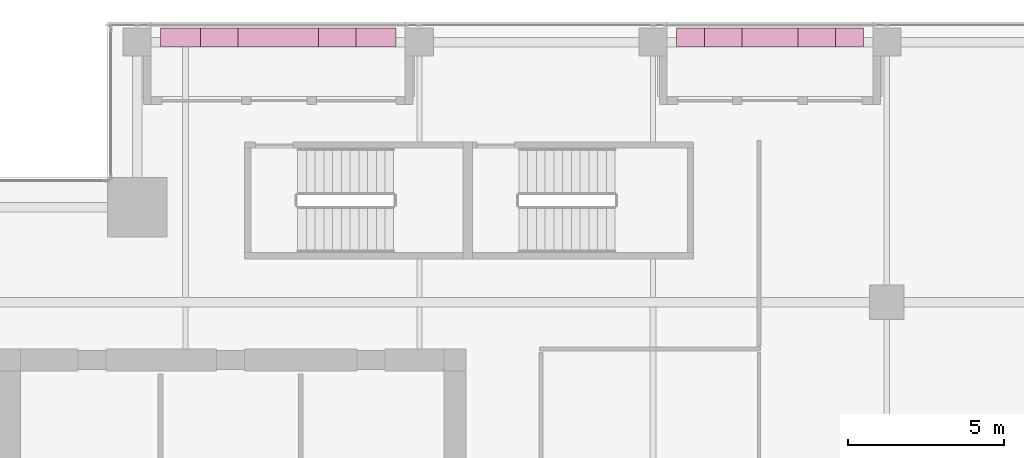
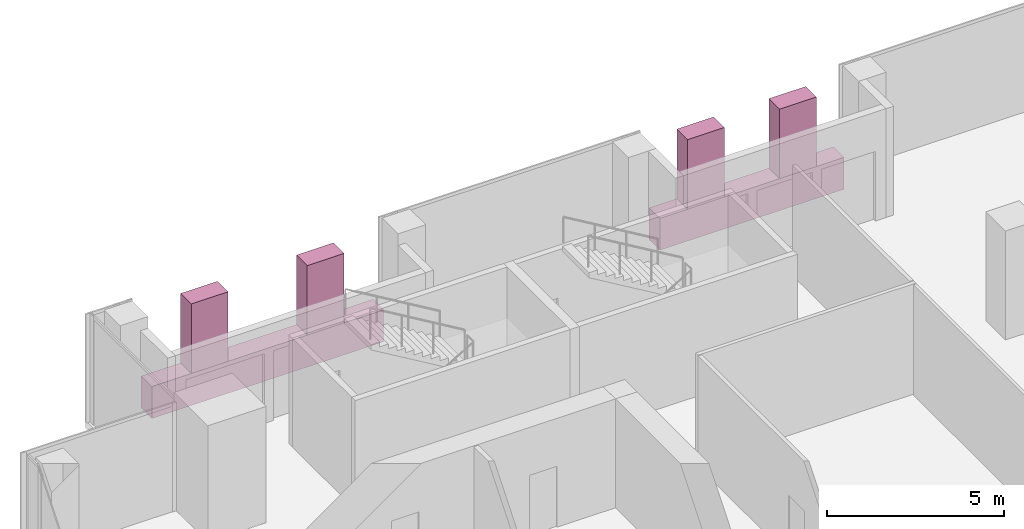
# One storey, part 34 of 34: 6 furnishings.
"""IFC4 building model written with IfcOpenShell, lengths in metres."""

import ifcopenshell
import ifcopenshell.guid

model = None  # the IFC model being written
_history = None  # IfcOwnerHistory: only IFC2X3 demands one
_inside = {}  # id of a spatial element -> (the spatial element, [elements in it])
_under = {}  # id of a project, library or spatial element -> (it, [spatial elements below it])
_declared = {}  # id of a project -> (the project, [libraries it declares])
_typed = {}  # id of a type object -> (the type object, [elements of that type])
_made_of = {}  # id of a material, layer set ... -> (it, [elements and type objects made of it])


def new_model(schema):
    """Start an empty IFC model of exactly this schema.

    Asked for "IFC4X3", IfcOpenShell would pick the latest addendum, in which some entities
    have other attributes; the version numbers below select the first issue.
    IFC2X3 requires an IfcOwnerHistory on every rooted entity: one is made here for all.
    """
    global model, _history
    if schema == "IFC4X3":
        model = ifcopenshell.file(schema_version=(4, 3, 0, 0))
    else:
        model = ifcopenshell.file(schema=schema)
    _inside.clear()
    _under.clear()
    _declared.clear()
    _typed.clear()
    _made_of.clear()
    _history = None
    if model.schema == "IFC2X3":
        org = make("IfcOrganization", Name="unknown")
        user = make(
            "IfcPersonAndOrganization",
            ThePerson=make("IfcPerson", FamilyName="unknown"),
            TheOrganization=org,
        )
        app = make(
            "IfcApplication",
            ApplicationDeveloper=org,
            Version="unknown",
            ApplicationFullName="unknown",
            ApplicationIdentifier="unknown",
        )
        _history = make(
            "IfcOwnerHistory",
            OwningUser=user,
            OwningApplication=app,
            ChangeAction="ADDED",
            CreationDate=0,
        )
    return model


def make(cls, **values):
    """One entity of the class cls with the attributes given. An attribute that is None is left unset."""
    return model.create_entity(
        cls, **{name: value for name, value in values.items() if value is not None}
    )


def rooted(cls, **values):
    """An entity with a GlobalId (a new one), such as an element, a storey or a relation."""
    return make(cls, GlobalId=ifcopenshell.guid.new(), OwnerHistory=_history, **values)


def si_unit(unit_type, name, prefix=None):
    """IfcSIUnit, for example si_unit("LENGTHUNIT", "METRE", prefix="MILLI")."""
    return make("IfcSIUnit", UnitType=unit_type, Prefix=prefix, Name=name)


def assignment(units):
    """IfcUnitAssignment: the units of a project."""
    return None if units is None else make("IfcUnitAssignment", Units=units)


def point(xyz):
    """IfcCartesianPoint."""
    return None if xyz is None else make("IfcCartesianPoint", Coordinates=xyz)


def direction(xyz):
    """IfcDirection."""
    return None if xyz is None else make("IfcDirection", DirectionRatios=xyz)


def frame(location, z_axis=None, x_axis=None):
    """IfcAxis2Placement3D, a coordinate frame: its origin and axes. An axis left out is left unset."""
    return make(
        "IfcAxis2Placement3D",
        Location=point(location),
        Axis=direction(z_axis),
        RefDirection=direction(x_axis),
    )


def frame_2d(location, x_axis=None):
    """IfcAxis2Placement2D, a coordinate frame in the plane: its origin and x axis."""
    return make(
        "IfcAxis2Placement2D", Location=point(location), RefDirection=direction(x_axis)
    )


def origin():
    """The frame at (0, 0, 0) with its axes left unset."""
    return frame((0.0, 0.0, 0.0))


def origin_2d():
    """The frame at (0, 0) in the plane with its x axis left unset."""
    return frame_2d((0.0, 0.0))


def place(relative_to, where):
    """IfcLocalPlacement: puts the frame where relative to a parent placement (None: the world)."""
    return make(
        "IfcLocalPlacement", PlacementRelTo=relative_to, RelativePlacement=where
    )


def context(
    kind, dimensions, precision=None, world=None, true_north=None, identifier=None
):
    """IfcGeometricRepresentationContext, for example the 3D "Model" context."""
    return make(
        "IfcGeometricRepresentationContext",
        ContextIdentifier=identifier,
        ContextType=kind,
        CoordinateSpaceDimension=dimensions,
        Precision=precision,
        WorldCoordinateSystem=world,
        TrueNorth=true_north,
    )


def subcontext(parent, identifier, kind, view, scale=None):
    """IfcGeometricRepresentationSubContext, for example "Body" below "Model"."""
    return make(
        "IfcGeometricRepresentationSubContext",
        ContextIdentifier=identifier,
        ContextType=kind,
        ParentContext=parent,
        TargetScale=scale,
        TargetView=view,
    )


def project(units=None, contexts=None):
    """IfcProject with its units and contexts."""
    return rooted(
        "IfcProject",
        Name="project",
        RepresentationContexts=contexts,
        UnitsInContext=assignment(units),
    )


def spatial(cls, under=None, at=None, **own):
    """A site, building, storey or space (cls), placed at a placement, below another one or the project."""
    s = rooted(cls, ObjectPlacement=at, **own)
    if under is not None:
        _under.setdefault(under.id(), (under, []))[1].append(s)
    return s


def profile(cls, at=None, kind="AREA", **sizes):
    """A parametric profile (cls). Its sizes go by their IFC names, for example OverallWidth=200.0."""
    return make(cls, ProfileType=kind, Position=at, **sizes)


def rectangle(**sizes):
    """IfcRectangleProfileDef."""
    return profile("IfcRectangleProfileDef", **sizes)


def extrude(swept, where, along, depth):
    """IfcExtrudedAreaSolid: the profile swept, set in the frame where, extruded along a direction by depth."""
    return make(
        "IfcExtrudedAreaSolid",
        SweptArea=swept,
        Position=where,
        ExtrudedDirection=direction(along),
        Depth=depth,
    )


def shape(context_of_items, identifier, shape_type, items):
    """IfcShapeRepresentation: the items that make up one representation, for example the "Body"."""
    return make(
        "IfcShapeRepresentation",
        ContextOfItems=context_of_items,
        RepresentationIdentifier=identifier,
        RepresentationType=shape_type,
        Items=items,
    )


def source(mapping_origin, context_of_items, identifier, shape_type, items):
    """IfcRepresentationMap: a shape defined once, which mapped items show again and again."""
    return make(
        "IfcRepresentationMap",
        MappingOrigin=mapping_origin,
        MappedRepresentation=shape(context_of_items, identifier, shape_type, items),
    )


def transform(
    local_origin,
    x_axis=None,
    y_axis=None,
    z_axis=None,
    scale=None,
    scale2=None,
    scale3=None,
    uniform=True,
):
    """IfcCartesianTransformationOperator3D, or its non-uniform kind. x_axis, y_axis, z_axis: its Axis1, 2, 3."""
    if uniform:
        return make(
            "IfcCartesianTransformationOperator3D",
            Axis1=direction(x_axis),
            Axis2=direction(y_axis),
            LocalOrigin=point(local_origin),
            Scale=scale,
            Axis3=direction(z_axis),
        )
    return make(
        "IfcCartesianTransformationOperator3DnonUniform",
        Axis1=direction(x_axis),
        Axis2=direction(y_axis),
        LocalOrigin=point(local_origin),
        Scale=scale,
        Axis3=direction(z_axis),
        Scale2=scale2,
        Scale3=scale3,
    )


def mapped(mapping_source, mapping_target):
    """IfcMappedItem: shows the shape of a source again, moved by a transform."""
    return make(
        "IfcMappedItem", MappingSource=mapping_source, MappingTarget=mapping_target
    )


def material(Name=None, Category=None):
    """IfcMaterial."""
    return make("IfcMaterial", Name=Name, Category=Category)


def made_of(thing, what):
    """Note that an element or type object is made of a material, layer set ...; save() writes the relation."""
    if what is not None:
        _made_of.setdefault(what.id(), (what, []))[1].append(thing)
    return thing


def type_object(cls, material=None, **own):
    """A type object (cls), such as IfcWallType, which elements share."""
    return made_of(rooted(cls, **own), material)


def element(
    cls,
    number,
    at=None,
    inside=None,
    cuts=None,
    type_object=None,
    material=None,
    context=None,
    identifier="Body",
    shape_type=None,
    held_by="IfcProductDefinitionShape",
    body=None,
    shapes=None,
    **own,
):
    """One element of the class cls, such as IfcWall. Its Tag is "e" and its number.

    at: its placement. inside: the storey or other place that contains it. cuts: it is an
    opening in that element (IfcRelVoidsElement). A single representation is given by context,
    identifier, shape_type and body (its items); several are given by shapes. held_by: the class
    of the entity that holds the representations. save() writes the other relations.
    """
    e = rooted(cls, Tag="e%d" % number, ObjectPlacement=at, **own)
    if body is not None:
        shapes = [shape(context, identifier, shape_type, body)]
    if shapes is not None:
        e.Representation = make(held_by, Representations=shapes)
    if inside is not None:
        _inside.setdefault(inside.id(), (inside, []))[1].append(e)
    if cuts is not None:
        rooted(
            "IfcRelVoidsElement", RelatingBuildingElement=cuts, RelatedOpeningElement=e
        )
    if type_object is not None:
        _typed.setdefault(type_object.id(), (type_object, []))[1].append(e)
    return made_of(e, material)


def aggregate(whole, parts):
    """IfcRelAggregates: a whole, such as a stair, and the parts it consists of."""
    return rooted("IfcRelAggregates", RelatingObject=whole, RelatedObjects=parts)


def save(model, path):
    """Write the relations noted so far, then the file.

    IfcRelAggregates (storeys below a building ...), IfcRelContainedInSpatialStructure (elements
    in a storey), IfcRelDefinesByType, IfcRelAssociatesMaterial and IfcRelDeclares: one each for
    every whole, place, type object, material and project.
    """
    for whole, parts in _under.values():
        aggregate(whole, parts)
    for where, things in _inside.values():
        rooted(
            "IfcRelContainedInSpatialStructure",
            RelatedElements=things,
            RelatingStructure=where,
        )
    for kind, things in _typed.values():
        rooted("IfcRelDefinesByType", RelatedObjects=things, RelatingType=kind)
    for what, things in _made_of.values():
        rooted("IfcRelAssociatesMaterial", RelatedObjects=things, RelatingMaterial=what)
    for by, libraries in _declared.values():
        rooted("IfcRelDeclares", RelatingContext=by, RelatedDefinitions=libraries)
    model.write(path)


model = new_model("IFC4")

# Units and contexts
model_context = context("Model", 3, precision=1e-05, world=origin(), true_north=direction((0.0, 1.0)))
body_context = subcontext(model_context, "Body", "Model", "MODEL_VIEW")
ifc_project = project(units=[si_unit("LENGTHUNIT", "METRE"), si_unit("AREAUNIT", "SQUARE_METRE"), si_unit("VOLUMEUNIT", "CUBIC_METRE"), si_unit("PLANEANGLEUNIT", "RADIAN"), si_unit("MASSUNIT", "GRAM", prefix="KILO")], contexts=[model_context])

# Site, building, storey
site_placement = place(None, origin())
site = spatial("IfcSite", under=ifc_project, at=site_placement, CompositionType="ELEMENT")
building_placement = place(site_placement, origin())
building = spatial("IfcBuilding", under=site, at=building_placement, Name="Khomas Fold Tower", CompositionType="ELEMENT")
storey_placement = place(building_placement, frame((0.0, 0.0, 242.199951171875)))
storey = spatial("IfcBuildingStorey", under=building, at=storey_placement, Name="L54", CompositionType="ELEMENT", Elevation=242.199951171875)

# Furnishings
ifc_material_1 = material(Name="Planting")
furnishing_element_type_1 = type_object("IfcFurnishingElementType", Name="BL-Tree Wild olive", material=ifc_material_1)
shared_shape_1 = source(origin(), body_context, "Body", "SweptSolid", [
    extrude(rectangle(XDim=1.199951171875, YDim=0.60009765625, at=origin_2d()), origin(), (0.0, 0.0, 1.0), 2.39501953125),
])
furnishing_1_placement = place(storey_placement, frame((29.25, 49.0, 1.054931640625), z_axis=(0.0, 0.0, 1.0), x_axis=(1.0, 0.0, 0.0)))
element("IfcFurnishingElement", 1, at=furnishing_1_placement, inside=storey, type_object=furnishing_element_type_1, Name="PLANTER (TREE) Wild olive BAL-L54-N3-1", context=body_context, shape_type="MappedRepresentation", body=[
    mapped(shared_shape_1, transform((0.0, 0.0, 0.0))),
])
ifc_material_2 = material(Name="Planting")
furnishing_element_type_2 = type_object("IfcFurnishingElementType", Name="BL-Tree Shepherd's tree", material=ifc_material_2)
furnishing_2_placement = place(storey_placement, frame((32.25, 49.0, 1.054931640625), z_axis=(0.0, 0.0, 1.0), x_axis=(1.0, 0.0, 0.0)))
element("IfcFurnishingElement", 2, at=furnishing_2_placement, inside=storey, type_object=furnishing_element_type_2, Name="PLANTER (TREE) Shepherd's tree BAL-L54-N3-2", context=body_context, shape_type="MappedRepresentation", body=[
    mapped(shared_shape_1, transform((0.0, 0.0, 0.0))),
])
furnishing_3_placement = place(storey_placement, frame((13.08740234375, 49.0, 1.054931640625), z_axis=(0.0, 0.0, 1.0), x_axis=(1.0, 0.0, 0.0)))
element("IfcFurnishingElement", 3, at=furnishing_3_placement, inside=storey, type_object=furnishing_element_type_1, Name="PLANTER (TREE) Wild olive BAL-L54-N1-1", context=body_context, shape_type="MappedRepresentation", body=[
    mapped(shared_shape_1, transform((0.0, 0.0, 0.0))),
])
furnishing_4_placement = place(storey_placement, frame((16.862548828125, 49.0, 1.054931640625), z_axis=(0.0, 0.0, 1.0), x_axis=(1.0, 0.0, 0.0)))
element("IfcFurnishingElement", 4, at=furnishing_4_placement, inside=storey, type_object=furnishing_element_type_2, Name="PLANTER (TREE) Shepherd's tree BAL-L54-N1-2", context=body_context, shape_type="MappedRepresentation", body=[
    mapped(shared_shape_1, transform((0.0, 0.0, 0.0))),
])
ifc_material_3 = material(Name="Precast concrete C40/50", Category="concrete")
furnishing_element_type_3 = type_object("IfcFurnishingElementType", Name="BL-Structural planter box", material=ifc_material_3)
shared_shape_2 = source(origin(), body_context, "Body", "SweptSolid", [
    extrude(rectangle(XDim=7.550048828125, YDim=0.60009765625, at=origin_2d()), origin(), (0.0, 0.0, 1.0), 1.10009765625),
])
furnishing_5_placement = place(storey_placement, frame((14.97509765625, 49.0, -0.044921875), z_axis=(0.0, 0.0, 1.0), x_axis=(1.0, 0.0, 0.0)))
element("IfcFurnishingElement", 5, at=furnishing_5_placement, inside=storey, type_object=furnishing_element_type_3, Name="PLANTER BAL-L54-N1", context=body_context, shape_type="MappedRepresentation", body=[
    mapped(shared_shape_2, transform((0.0, 0.0, 0.0))),
])
shared_shape_3 = source(origin(), body_context, "Body", "SweptSolid", [
    extrude(rectangle(XDim=6.0, YDim=0.60009765625, at=origin_2d()), origin(), (0.0, 0.0, 1.0), 1.10009765625),
])
furnishing_6_placement = place(storey_placement, frame((30.75, 49.0, -0.044921875), z_axis=(0.0, 0.0, 1.0), x_axis=(1.0, 0.0, 0.0)))
element("IfcFurnishingElement", 6, at=furnishing_6_placement, inside=storey, type_object=furnishing_element_type_3, Name="PLANTER BAL-L54-N3", context=body_context, shape_type="MappedRepresentation", body=[
    mapped(shared_shape_3, transform((0.0, 0.0, 0.0))),
])

save(model, "model.ifc")
